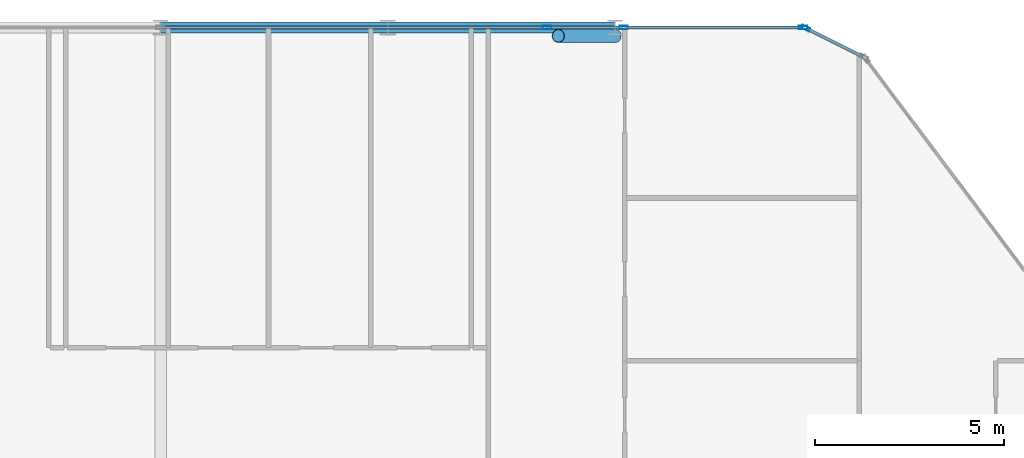
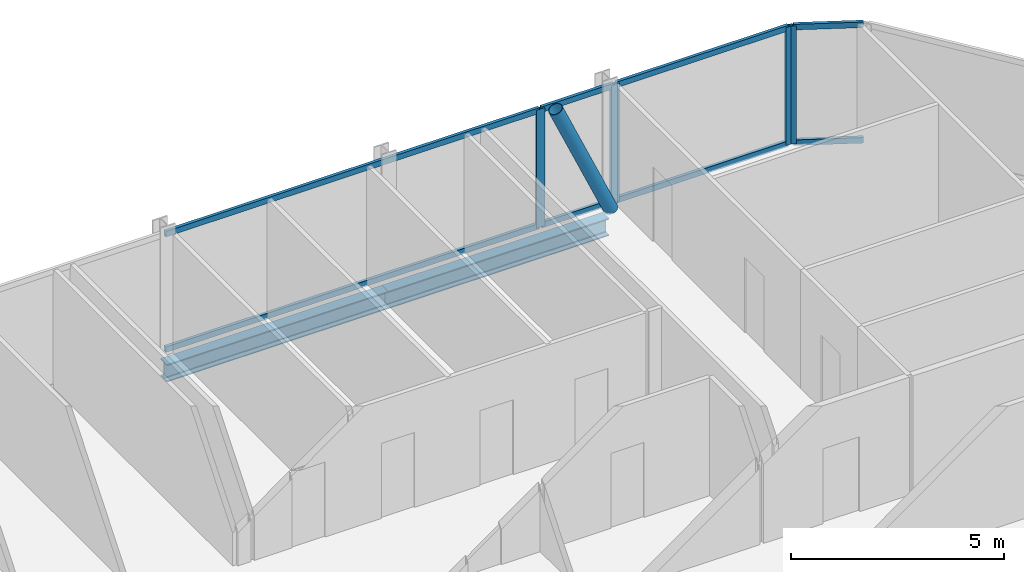
# One storey, part 16 of 33: 13 members, 2 beams, 4 elements without a shape of their own.
"""IFC4 building model written with IfcOpenShell, lengths in metres."""

import ifcopenshell
import ifcopenshell.guid

model = None  # the IFC model being written
_history = None  # IfcOwnerHistory: only IFC2X3 demands one
_inside = {}  # id of a spatial element -> (the spatial element, [elements in it])
_under = {}  # id of a project, library or spatial element -> (it, [spatial elements below it])
_declared = {}  # id of a project -> (the project, [libraries it declares])
_typed = {}  # id of a type object -> (the type object, [elements of that type])
_made_of = {}  # id of a material, layer set ... -> (it, [elements and type objects made of it])


def new_model(schema):
    """Start an empty IFC model of exactly this schema.

    Asked for "IFC4X3", IfcOpenShell would pick the latest addendum, in which some entities
    have other attributes; the version numbers below select the first issue.
    IFC2X3 requires an IfcOwnerHistory on every rooted entity: one is made here for all.
    """
    global model, _history
    if schema == "IFC4X3":
        model = ifcopenshell.file(schema_version=(4, 3, 0, 0))
    else:
        model = ifcopenshell.file(schema=schema)
    _inside.clear()
    _under.clear()
    _declared.clear()
    _typed.clear()
    _made_of.clear()
    _history = None
    if model.schema == "IFC2X3":
        org = make("IfcOrganization", Name="unknown")
        user = make(
            "IfcPersonAndOrganization",
            ThePerson=make("IfcPerson", FamilyName="unknown"),
            TheOrganization=org,
        )
        app = make(
            "IfcApplication",
            ApplicationDeveloper=org,
            Version="unknown",
            ApplicationFullName="unknown",
            ApplicationIdentifier="unknown",
        )
        _history = make(
            "IfcOwnerHistory",
            OwningUser=user,
            OwningApplication=app,
            ChangeAction="ADDED",
            CreationDate=0,
        )
    return model


def make(cls, **values):
    """One entity of the class cls with the attributes given. An attribute that is None is left unset."""
    return model.create_entity(
        cls, **{name: value for name, value in values.items() if value is not None}
    )


def rooted(cls, **values):
    """An entity with a GlobalId (a new one), such as an element, a storey or a relation."""
    return make(cls, GlobalId=ifcopenshell.guid.new(), OwnerHistory=_history, **values)


def si_unit(unit_type, name, prefix=None):
    """IfcSIUnit, for example si_unit("LENGTHUNIT", "METRE", prefix="MILLI")."""
    return make("IfcSIUnit", UnitType=unit_type, Prefix=prefix, Name=name)


def assignment(units):
    """IfcUnitAssignment: the units of a project."""
    return None if units is None else make("IfcUnitAssignment", Units=units)


def point(xyz):
    """IfcCartesianPoint."""
    return None if xyz is None else make("IfcCartesianPoint", Coordinates=xyz)


def direction(xyz):
    """IfcDirection."""
    return None if xyz is None else make("IfcDirection", DirectionRatios=xyz)


def frame(location, z_axis=None, x_axis=None):
    """IfcAxis2Placement3D, a coordinate frame: its origin and axes. An axis left out is left unset."""
    return make(
        "IfcAxis2Placement3D",
        Location=point(location),
        Axis=direction(z_axis),
        RefDirection=direction(x_axis),
    )


def frame_2d(location, x_axis=None):
    """IfcAxis2Placement2D, a coordinate frame in the plane: its origin and x axis."""
    return make(
        "IfcAxis2Placement2D", Location=point(location), RefDirection=direction(x_axis)
    )


def origin():
    """The frame at (0, 0, 0) with its axes left unset."""
    return frame((0.0, 0.0, 0.0))


def origin_2d():
    """The frame at (0, 0) in the plane with its x axis left unset."""
    return frame_2d((0.0, 0.0))


def place(relative_to, where):
    """IfcLocalPlacement: puts the frame where relative to a parent placement (None: the world)."""
    return make(
        "IfcLocalPlacement", PlacementRelTo=relative_to, RelativePlacement=where
    )


def context(
    kind, dimensions, precision=None, world=None, true_north=None, identifier=None
):
    """IfcGeometricRepresentationContext, for example the 3D "Model" context."""
    return make(
        "IfcGeometricRepresentationContext",
        ContextIdentifier=identifier,
        ContextType=kind,
        CoordinateSpaceDimension=dimensions,
        Precision=precision,
        WorldCoordinateSystem=world,
        TrueNorth=true_north,
    )


def subcontext(parent, identifier, kind, view, scale=None):
    """IfcGeometricRepresentationSubContext, for example "Body" below "Model"."""
    return make(
        "IfcGeometricRepresentationSubContext",
        ContextIdentifier=identifier,
        ContextType=kind,
        ParentContext=parent,
        TargetScale=scale,
        TargetView=view,
    )


def project(units=None, contexts=None):
    """IfcProject with its units and contexts."""
    return rooted(
        "IfcProject",
        Name="project",
        RepresentationContexts=contexts,
        UnitsInContext=assignment(units),
    )


def spatial(cls, under=None, at=None, **own):
    """A site, building, storey or space (cls), placed at a placement, below another one or the project."""
    s = rooted(cls, ObjectPlacement=at, **own)
    if under is not None:
        _under.setdefault(under.id(), (under, []))[1].append(s)
    return s


def profile(cls, at=None, kind="AREA", **sizes):
    """A parametric profile (cls). Its sizes go by their IFC names, for example OverallWidth=200.0."""
    return make(cls, ProfileType=kind, Position=at, **sizes)


def hollow_rectangle(**sizes):
    """IfcRectangleHollowProfileDef."""
    return profile("IfcRectangleHollowProfileDef", **sizes)


def hollow_circle(**sizes):
    """IfcCircleHollowProfileDef."""
    return profile("IfcCircleHollowProfileDef", **sizes)


def i_section(**sizes):
    """IfcIShapeProfileDef."""
    return profile("IfcIShapeProfileDef", **sizes)


def extrude(swept, where, along, depth):
    """IfcExtrudedAreaSolid: the profile swept, set in the frame where, extruded along a direction by depth."""
    return make(
        "IfcExtrudedAreaSolid",
        SweptArea=swept,
        Position=where,
        ExtrudedDirection=direction(along),
        Depth=depth,
    )


def shape(context_of_items, identifier, shape_type, items):
    """IfcShapeRepresentation: the items that make up one representation, for example the "Body"."""
    return make(
        "IfcShapeRepresentation",
        ContextOfItems=context_of_items,
        RepresentationIdentifier=identifier,
        RepresentationType=shape_type,
        Items=items,
    )


def material(Name=None, Category=None):
    """IfcMaterial."""
    return make("IfcMaterial", Name=Name, Category=Category)


def layer(
    of_material, thickness, ventilated=None, Name=None, Category=None, Priority=None
):
    """IfcMaterialLayer: one layer of a wall or slab, of a material (None: an air gap)."""
    return make(
        "IfcMaterialLayer",
        Material=of_material,
        LayerThickness=thickness,
        IsVentilated=ventilated,
        Name=Name,
        Category=Category,
        Priority=Priority,
    )


def layer_set(layers, Name=None):
    """IfcMaterialLayerSet."""
    return make("IfcMaterialLayerSet", MaterialLayers=layers, LayerSetName=Name)


def material_profile(
    of_material, cross_section, Name=None, Category=None, Priority=None
):
    """IfcMaterialProfile: a cross section and its material."""
    return make(
        "IfcMaterialProfile",
        Name=Name,
        Material=of_material,
        Profile=cross_section,
        Priority=Priority,
        Category=Category,
    )


def profile_set(profiles, Name=None, composite=None):
    """IfcMaterialProfileSet."""
    return make(
        "IfcMaterialProfileSet",
        Name=Name,
        MaterialProfiles=profiles,
        CompositeProfile=composite,
    )


def made_of(thing, what):
    """Note that an element or type object is made of a material, layer set ...; save() writes the relation."""
    if what is not None:
        _made_of.setdefault(what.id(), (what, []))[1].append(thing)
    return thing


def type_object(cls, material=None, **own):
    """A type object (cls), such as IfcWallType, which elements share."""
    return made_of(rooted(cls, **own), material)


def element(
    cls,
    number,
    at=None,
    inside=None,
    cuts=None,
    type_object=None,
    material=None,
    context=None,
    identifier="Body",
    shape_type=None,
    held_by="IfcProductDefinitionShape",
    body=None,
    shapes=None,
    **own,
):
    """One element of the class cls, such as IfcWall. Its Tag is "e" and its number.

    at: its placement. inside: the storey or other place that contains it. cuts: it is an
    opening in that element (IfcRelVoidsElement). A single representation is given by context,
    identifier, shape_type and body (its items); several are given by shapes. held_by: the class
    of the entity that holds the representations. save() writes the other relations.
    """
    e = rooted(cls, Tag="e%d" % number, ObjectPlacement=at, **own)
    if body is not None:
        shapes = [shape(context, identifier, shape_type, body)]
    if shapes is not None:
        e.Representation = make(held_by, Representations=shapes)
    if inside is not None:
        _inside.setdefault(inside.id(), (inside, []))[1].append(e)
    if cuts is not None:
        rooted(
            "IfcRelVoidsElement", RelatingBuildingElement=cuts, RelatedOpeningElement=e
        )
    if type_object is not None:
        _typed.setdefault(type_object.id(), (type_object, []))[1].append(e)
    return made_of(e, material)


def aggregate(whole, parts):
    """IfcRelAggregates: a whole, such as a stair, and the parts it consists of."""
    return rooted("IfcRelAggregates", RelatingObject=whole, RelatedObjects=parts)


def save(model, path):
    """Write the relations noted so far, then the file.

    IfcRelAggregates (storeys below a building ...), IfcRelContainedInSpatialStructure (elements
    in a storey), IfcRelDefinesByType, IfcRelAssociatesMaterial and IfcRelDeclares: one each for
    every whole, place, type object, material and project.
    """
    for whole, parts in _under.values():
        aggregate(whole, parts)
    for where, things in _inside.values():
        rooted(
            "IfcRelContainedInSpatialStructure",
            RelatedElements=things,
            RelatingStructure=where,
        )
    for kind, things in _typed.values():
        rooted("IfcRelDefinesByType", RelatedObjects=things, RelatingType=kind)
    for what, things in _made_of.values():
        rooted("IfcRelAssociatesMaterial", RelatedObjects=things, RelatingMaterial=what)
    for by, libraries in _declared.values():
        rooted("IfcRelDeclares", RelatingContext=by, RelatedDefinitions=libraries)
    model.write(path)


model = new_model("IFC4")

# Units and contexts
model_context = context("Model", 3, precision=1e-05, world=origin(), true_north=direction((0.0, 1.0)))
body_context = subcontext(model_context, "Body", "Model", "MODEL_VIEW")
ifc_project = project(units=[si_unit("LENGTHUNIT", "METRE"), si_unit("AREAUNIT", "SQUARE_METRE"), si_unit("VOLUMEUNIT", "CUBIC_METRE"), si_unit("PLANEANGLEUNIT", "RADIAN"), si_unit("MASSUNIT", "GRAM", prefix="KILO")], contexts=[model_context])

# Site, building, storey
site_placement = place(None, origin())
site = spatial("IfcSite", under=ifc_project, at=site_placement, CompositionType="ELEMENT")
building_placement = place(site_placement, origin())
building = spatial("IfcBuilding", under=site, at=building_placement, Name="Keshet Zoharim Tower", CompositionType="ELEMENT")
storey_placement = place(building_placement, frame((0.0, 0.0, 73.800048828125)))
storey = spatial("IfcBuildingStorey", under=building, at=storey_placement, Name="L17", CompositionType="ELEMENT", Elevation=73.800048828125)

# Beams
ifc_material_1 = material(Name="Steel S355", Category="steel")
ifc_material_profile_1 = material_profile(ifc_material_1, i_section(OverallWidth=0.300048828125, OverallDepth=0.5, WebThickness=0.014404296875, FlangeThickness=0.028076171875, FilletRadius=0.027099609375, at=origin_2d()), Name="HEB500")
ifc_profile_set_1 = profile_set([ifc_material_profile_1], Name="Steel S355")
beam_type = type_object("IfcBeamType", Name="BM-WEB-HB500", PredefinedType="BEAM", material=ifc_profile_set_1)
for number, where, z_axis, x_axis, name in (
    (1, (33.0, 53.89990234375, -0.56494140625), (1.0, 0.0, 0.0), (0.0, 1.0, 0.0), "L17 Primary Girder X-031"),
    (2, (39.0, 53.89990234375, -0.56494140625), (1.0, 0.0, 0.0), (0.0, 1.0, 0.0), "L17 Primary Girder X-032"),
):
    element("IfcBeam", number, at=place(storey_placement, frame(where, z_axis=z_axis, x_axis=x_axis)), inside=storey, type_object=beam_type, Name=name, PredefinedType="BEAM", context=body_context, shape_type="SweptSolid", body=[
        extrude(i_section(OverallWidth=0.300048828125, OverallDepth=0.5, WebThickness=0.014404296875, FlangeThickness=0.028076171875, FilletRadius=0.027099609375, at=origin_2d()), origin(), (0.0, 0.0, 1.0), 6.0),
    ])

# Curtain wall, member
ifc_material_2 = material(Name="Aluminium 6063-T6", Category="aluminium")
ifc_layer = layer(ifc_material_2, 0.169921875)
ifc_layer_set = layer_set([ifc_layer], Name="Aluminium 6063-T6")
curtain_wall_type = type_object("IfcCurtainWallType", Name="CW-SYS-02", PredefinedType="NOTDEFINED", material=ifc_layer_set)
curtain_wall_1_placement = place(storey_placement, origin())
curtain_wall_1 = element("IfcCurtainWall", 3, at=curtain_wall_1_placement, inside=storey, type_object=curtain_wall_type, Name="L17 Unitised Curtain Wall 07 Part 3", PredefinedType="NOTDEFINED")
ifc_material_profile_2 = material_profile(ifc_material_2, hollow_rectangle(XDim=0.090087890625, YDim=0.219970703125, WallThickness=0.0048828125, at=origin_2d()), Name="MUL-90x220")
ifc_profile_set_2 = profile_set([ifc_material_profile_2], Name="Aluminium 6063-T6")
member_type_1 = type_object("IfcMemberType", Name="CWM-M22", PredefinedType="MULLION", material=ifc_profile_set_2)
member_1_placement = place(storey_placement, frame((43.202392578125, 53.89990234375, 0.0), z_axis=(0.0, 0.0, 1.0), x_axis=(0.0, 1.0, 0.0)))
member_1 = element("IfcMember", 4, at=member_1_placement, type_object=member_type_1, Name="CW-02 mullion 3", PredefinedType="MULLION", context=body_context, shape_type="SweptSolid", body=[
    extrude(hollow_rectangle(XDim=0.090087890625, YDim=0.219970703125, WallThickness=0.0048828125, at=origin_2d()), origin(), (0.0, 0.0, 1.0), 3.385009765625),
])

curtain_wall_2_placement = place(storey_placement, origin())
curtain_wall_2 = element("IfcCurtainWall", 5, at=curtain_wall_2_placement, inside=storey, type_object=curtain_wall_type, Name="L17 Unitised Curtain Wall 07 Part 4", PredefinedType="NOTDEFINED")
member_2_placement = place(storey_placement, frame((45.2275390625, 53.89990234375, 0.0), z_axis=(0.0, 0.0, 1.0), x_axis=(0.0, 1.0, 0.0)))
member_2 = element("IfcMember", 6, at=member_2_placement, type_object=member_type_1, Name="CW-02 mullion 2", PredefinedType="MULLION", context=body_context, shape_type="SweptSolid", body=[
    extrude(hollow_rectangle(XDim=0.090087890625, YDim=0.219970703125, WallThickness=0.0048828125, at=origin_2d()), origin(), (0.0, 0.0, 1.0), 3.385009765625),
])

curtain_wall_3_placement = place(storey_placement, origin())
curtain_wall_3 = element("IfcCurtainWall", 7, at=curtain_wall_3_placement, inside=storey, type_object=curtain_wall_type, Name="L17 Unitised Curtain Wall 07 Part 5", PredefinedType="NOTDEFINED")
member_3_placement = place(storey_placement, frame((49.965087890625, 53.89990234375, 0.0), z_axis=(0.0, 0.0, 1.0), x_axis=(0.0, 1.0, 0.0)))
member_3 = element("IfcMember", 8, at=member_3_placement, type_object=member_type_1, Name="CW-02 mullion 2", PredefinedType="MULLION", context=body_context, shape_type="SweptSolid", body=[
    extrude(hollow_rectangle(XDim=0.090087890625, YDim=0.219970703125, WallThickness=0.0048828125, at=origin_2d()), origin(), (0.0, 0.0, 1.0), 3.385009765625),
])

curtain_wall_4_placement = place(storey_placement, origin())
curtain_wall_4 = element("IfcCurtainWall", 9, at=curtain_wall_4_placement, inside=storey, type_object=curtain_wall_type, Name="L17 Unitised Curtain Wall 08", PredefinedType="NOTDEFINED")
member_4_placement = place(storey_placement, frame((50.03125, 53.88427734375, 0.0), z_axis=(0.0, 0.0, 1.0), x_axis=(0.447213595499, 0.894427191001, 0.0)))
member_4 = element("IfcMember", 10, at=member_4_placement, type_object=member_type_1, Name="CW-02 mullion 1", PredefinedType="MULLION", context=body_context, shape_type="SweptSolid", body=[
    extrude(hollow_rectangle(XDim=0.090087890625, YDim=0.219970703125, WallThickness=0.0048828125, at=origin_2d()), origin(), (0.0, 0.0, 1.0), 3.385009765625),
])

# Member
ifc_material_profile_3 = material_profile(ifc_material_2, hollow_rectangle(XDim=0.0849609375, YDim=0.159912109375, WallThickness=0.00439453125, at=origin_2d()), Name="TRN-85x160")
ifc_profile_set_3 = profile_set([ifc_material_profile_3], Name="Aluminium 6063-T6")
member_type_2 = type_object("IfcMemberType", Name="CWT-T16", PredefinedType="USERDEFINED", material=ifc_profile_set_3)
member_5_placement = place(storey_placement, frame((33.034912109375, 53.89990234375, 0.034912109375), z_axis=(1.0, 0.0, 0.0), x_axis=(0.0, 1.0, 0.0)))
member_5 = element("IfcMember", 11, at=member_5_placement, type_object=member_type_2, Name="CW-02 transom 2.1", ObjectType="TRANSOM", PredefinedType="USERDEFINED", context=body_context, shape_type="SweptSolid", body=[
    extrude(hollow_rectangle(XDim=0.0849609375, YDim=0.159912109375, WallThickness=0.00439453125, at=origin_2d()), origin(), (0.0, 0.0, 1.0), 10.132568359375),
])

member_6_placement = place(storey_placement, frame((33.034912109375, 53.89990234375, 3.349853515625), z_axis=(1.0, 0.0, 0.0), x_axis=(0.0, 1.0, 0.0)))
member_6 = element("IfcMember", 12, at=member_6_placement, type_object=member_type_2, Name="CW-02 transom 2.2", ObjectType="TRANSOM", PredefinedType="USERDEFINED", context=body_context, shape_type="SweptSolid", body=[
    extrude(hollow_rectangle(XDim=0.0849609375, YDim=0.159912109375, WallThickness=0.00439453125, at=origin_2d()), origin(), (0.0, 0.0, 1.0), 10.132568359375),
])

aggregate(curtain_wall_1, [member_1, member_5, member_6])

member_7_placement = place(storey_placement, frame((43.2373046875, 53.89990234375, 0.034912109375), z_axis=(1.0, 0.0, 0.0), x_axis=(0.0, 1.0, 0.0)))
member_7 = element("IfcMember", 13, at=member_7_placement, type_object=member_type_2, Name="CW-02 transom 1.1", ObjectType="TRANSOM", PredefinedType="USERDEFINED", context=body_context, shape_type="SweptSolid", body=[
    extrude(hollow_rectangle(XDim=0.0849609375, YDim=0.159912109375, WallThickness=0.00439453125, at=origin_2d()), origin(), (0.0, 0.0, 1.0), 1.955322265625),
])

member_8_placement = place(storey_placement, frame((43.2373046875, 53.89990234375, 3.349853515625), z_axis=(1.0, 0.0, 0.0), x_axis=(0.0, 1.0, 0.0)))
member_8 = element("IfcMember", 14, at=member_8_placement, type_object=member_type_2, Name="CW-02 transom 1.2", ObjectType="TRANSOM", PredefinedType="USERDEFINED", context=body_context, shape_type="SweptSolid", body=[
    extrude(hollow_rectangle(XDim=0.0849609375, YDim=0.159912109375, WallThickness=0.00439453125, at=origin_2d()), origin(), (0.0, 0.0, 1.0), 1.955322265625),
])

aggregate(curtain_wall_2, [member_2, member_7, member_8])

member_9_placement = place(storey_placement, frame((45.2626953125, 53.89990234375, 0.034912109375), z_axis=(1.0, 0.0, 0.0), x_axis=(0.0, 1.0, 0.0)))
member_9 = element("IfcMember", 15, at=member_9_placement, type_object=member_type_2, Name="CW-02 transom 1.1", ObjectType="TRANSOM", PredefinedType="USERDEFINED", context=body_context, shape_type="SweptSolid", body=[
    extrude(hollow_rectangle(XDim=0.0849609375, YDim=0.159912109375, WallThickness=0.00439453125, at=origin_2d()), origin(), (0.0, 0.0, 1.0), 4.667236328125),
])

member_10_placement = place(storey_placement, frame((45.2626953125, 53.89990234375, 3.349853515625), z_axis=(1.0, 0.0, 0.0), x_axis=(0.0, 1.0, 0.0)))
member_10 = element("IfcMember", 16, at=member_10_placement, type_object=member_type_2, Name="CW-02 transom 1.2", ObjectType="TRANSOM", PredefinedType="USERDEFINED", context=body_context, shape_type="SweptSolid", body=[
    extrude(hollow_rectangle(XDim=0.0849609375, YDim=0.159912109375, WallThickness=0.00439453125, at=origin_2d()), origin(), (0.0, 0.0, 1.0), 4.667236328125),
])

aggregate(curtain_wall_3, [member_3, member_9, member_10])

member_11_placement = place(storey_placement, frame((50.0625, 53.86865234375, 0.034912109375), z_axis=(0.894456801911, -0.447154368775, 0.0), x_axis=(0.447154368775, 0.894456801911, 0.0)))
member_11 = element("IfcMember", 17, at=member_11_placement, type_object=member_type_2, Name="CW-02 transom 1.1", ObjectType="TRANSOM", PredefinedType="USERDEFINED", context=body_context, shape_type="SweptSolid", body=[
    extrude(hollow_rectangle(XDim=0.0849609375, YDim=0.159912109375, WallThickness=0.00439453125, at=origin_2d()), origin(), (0.0, 0.0, 1.0), 1.64892578125),
])

member_12_placement = place(storey_placement, frame((50.0625, 53.86865234375, 3.349853515625), z_axis=(0.894456801911, -0.447154368775, 0.0), x_axis=(0.447154368775, 0.894456801911, 0.0)))
member_12 = element("IfcMember", 18, at=member_12_placement, type_object=member_type_2, Name="CW-02 transom 1.2", ObjectType="TRANSOM", PredefinedType="USERDEFINED", context=body_context, shape_type="SweptSolid", body=[
    extrude(hollow_rectangle(XDim=0.0849609375, YDim=0.159912109375, WallThickness=0.00439453125, at=origin_2d()), origin(), (0.0, 0.0, 1.0), 1.64892578125),
])

aggregate(curtain_wall_4, [member_4, member_11, member_12])

ifc_material_profile_4 = material_profile(ifc_material_1, hollow_circle(Radius=0.177734375, WallThickness=0.012451171875, at=origin_2d()), Name="CHS355x12.5")
ifc_profile_set_4 = profile_set([ifc_material_profile_4], Name="Steel S355")
member_type_3 = type_object("IfcMemberType", Name="MB-BR-C355", PredefinedType="BRACE", material=ifc_profile_set_4)
member_13_placement = place(storey_placement, frame((45.0, 53.679931640625, 0.0), z_axis=(-0.405134846829, 0.0, 0.91425694194), x_axis=(0.0, -1.0, 0.0)))
element("IfcMember", 19, at=member_13_placement, inside=storey, type_object=member_type_3, Name="L17 Perimeter Tube Brace 04", PredefinedType="BRACE", context=body_context, shape_type="SweptSolid", body=[
    extrude(hollow_circle(Radius=0.177734375, WallThickness=0.012451171875, at=origin_2d()), origin(), (0.0, 0.0, 1.0), 3.702392578125),
])

save(model, "model.ifc")
